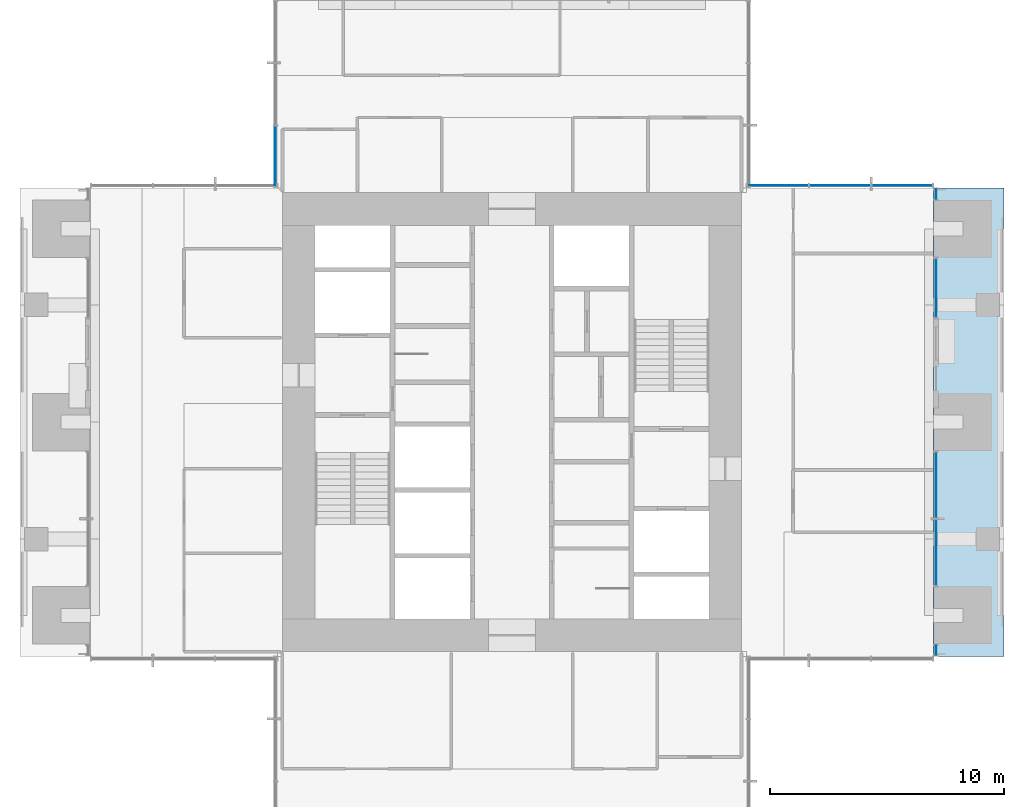
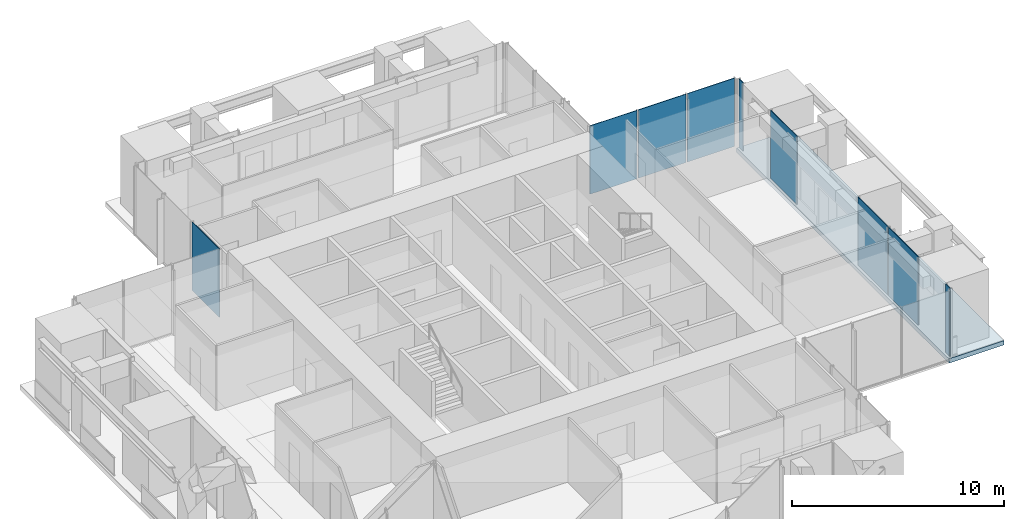
# One storey, part 10 of 17: 9 plates, 1 slab, 6 elements without a shape of their own.
"""IFC4 building model written with IfcOpenShell, lengths in metres."""

from ifc_helpers import new_model, si_unit, direction, frame, origin, origin_2d, place, context, subcontext, project, spatial, polyline, rectangle, outline, extrude, material, layer, layer_set, type_object, element, aggregate, save


model = new_model("IFC4")

# Units and contexts
model_context = context("Model", 3, precision=1e-05, world=origin(), true_north=direction((0.0, 1.0)))
body_context = subcontext(model_context, "Body", "Model", "MODEL_VIEW")
ifc_project = project(units=[si_unit("LENGTHUNIT", "METRE"), si_unit("AREAUNIT", "SQUARE_METRE"), si_unit("VOLUMEUNIT", "CUBIC_METRE"), si_unit("PLANEANGLEUNIT", "RADIAN"), si_unit("MASSUNIT", "GRAM", prefix="KILO")], contexts=[model_context])

# Site, building, storey
site_placement = place(None, origin())
site = spatial("IfcSite", under=ifc_project, at=site_placement, CompositionType="ELEMENT")
building_placement = place(site_placement, origin())
building = spatial("IfcBuilding", under=site, at=building_placement, Name="Svetlomir Tower", CompositionType="ELEMENT")
storey_placement = place(building_placement, frame((0.0, 0.0, 182.5)))
storey = spatial("IfcBuildingStorey", under=building, at=storey_placement, Name="L43", CompositionType="ELEMENT", Elevation=182.5)

# Curtain wall, plate
ifc_material_1 = material(Name="Bronze anodised aluminium curtain wall", Category="aluminium")
curtain_wall_type = type_object("IfcCurtainWallType", Name="CURTAIN WALL CW1 TOWER OFFICE", PredefinedType="NOTDEFINED", material=ifc_material_1)
curtain_wall_1_placement = place(storey_placement, origin())
curtain_wall_1 = element("IfcCurtainWall", 1, at=curtain_wall_1_placement, inside=storey, type_object=curtain_wall_type, Name="Curtain wall CW1 L43", PredefinedType="NOTDEFINED")
ifc_material_2 = material(Name="Tinted double glazed unit", Category="glass")
ifc_layer_1 = layer(ifc_material_2, 0.031982421875)
ifc_layer_set_1 = layer_set([ifc_layer_1], Name="Tinted double glazed unit")
plate_type = type_object("IfcPlateType", Name="CW1 GLAZED PANEL 32", PredefinedType="CURTAIN_PANEL", material=ifc_layer_set_1)
plate_1_placement = place(storey_placement, frame((39.10009765625, 11.262451171875, 0.06494140625), z_axis=(0.0, 0.0, 1.0), x_axis=(0.0, 1.0, 0.0)))
plate_1 = element("IfcPlate", 2, at=plate_1_placement, type_object=plate_type, Name="CW1 panel 1.1", PredefinedType="CURTAIN_PANEL", context=body_context, shape_type="SweptSolid", body=[
    extrude(rectangle(XDim=0.39501953125, YDim=0.031982421875, at=origin_2d()), origin(), (0.0, 0.0, 1.0), 3.93505859375),
])
aggregate(curtain_wall_1, [plate_1])

# Curtain wall, plates
curtain_wall_2_placement = place(storey_placement, origin())
curtain_wall_2 = element("IfcCurtainWall", 3, at=curtain_wall_2_placement, inside=storey, type_object=curtain_wall_type, Name="Curtain wall CW1 L43", PredefinedType="NOTDEFINED")
plate_2_placement = place(storey_placement, frame((39.10009765625, 15.441162109375, 0.06494140625), z_axis=(0.0, 0.0, 1.0), x_axis=(0.0, 1.0, 0.0)))
plate_2 = element("IfcPlate", 4, at=plate_2_placement, type_object=plate_type, Name="CW1 panel 1.1", PredefinedType="CURTAIN_PANEL", context=body_context, shape_type="SweptSolid", body=[
    extrude(rectangle(XDim=2.802490234375, YDim=0.031982421875, at=origin_2d()), origin(), (0.0, 0.0, 1.0), 3.93505859375),
])
plate_3_placement = place(storey_placement, frame((39.10009765625, 18.308837890625, 0.06494140625), z_axis=(0.0, 0.0, 1.0), x_axis=(0.0, 1.0, 0.0)))
plate_3 = element("IfcPlate", 5, at=plate_3_placement, type_object=plate_type, Name="CW1 panel 2.1", PredefinedType="CURTAIN_PANEL", context=body_context, shape_type="SweptSolid", body=[
    extrude(rectangle(XDim=2.802490234375, YDim=0.031982421875, at=origin_2d()), origin(), (0.0, 0.0, 1.0), 3.93505859375),
])
aggregate(curtain_wall_2, [plate_2, plate_3])

# Curtain wall, plate
curtain_wall_3_placement = place(storey_placement, origin())
curtain_wall_3 = element("IfcCurtainWall", 6, at=curtain_wall_3_placement, inside=storey, type_object=curtain_wall_type, Name="Curtain wall CW1 L43", PredefinedType="NOTDEFINED")
plate_4_placement = place(storey_placement, frame((39.10009765625, 26.71240234375, 0.06494140625), z_axis=(0.0, 0.0, 1.0), x_axis=(0.0, 1.0, 0.0)))
plate_4 = element("IfcPlate", 7, at=plate_4_placement, type_object=plate_type, Name="CW1 panel 1.1", PredefinedType="CURTAIN_PANEL", context=body_context, shape_type="SweptSolid", body=[
    extrude(rectangle(XDim=2.4951171875, YDim=0.031982421875, at=origin_2d()), origin(), (0.0, 0.0, 1.0), 3.93505859375),
])
aggregate(curtain_wall_3, [plate_4])

curtain_wall_4_placement = place(storey_placement, origin())
curtain_wall_4 = element("IfcCurtainWall", 8, at=curtain_wall_4_placement, inside=storey, type_object=curtain_wall_type, Name="Curtain wall CW1 L43", PredefinedType="NOTDEFINED")
plate_5_placement = place(storey_placement, frame((39.10009765625, 30.737548828125, 0.06494140625), z_axis=(0.0, 0.0, 1.0), x_axis=(0.0, 1.0, 0.0)))
plate_5 = element("IfcPlate", 9, at=plate_5_placement, type_object=plate_type, Name="CW1 panel 1.1", PredefinedType="CURTAIN_PANEL", context=body_context, shape_type="SweptSolid", body=[
    extrude(rectangle(XDim=0.39501953125, YDim=0.031982421875, at=origin_2d()), origin(), (0.0, 0.0, 1.0), 3.93505859375),
])
aggregate(curtain_wall_4, [plate_5])

# Curtain wall, plates
curtain_wall_5_placement = place(storey_placement, origin())
curtain_wall_5 = element("IfcCurtainWall", 10, at=curtain_wall_5_placement, inside=storey, type_object=curtain_wall_type, Name="Curtain wall CW1 L43", PredefinedType="NOTDEFINED")
plate_6_placement = place(storey_placement, frame((37.650390625, 31.10009765625, 0.06494140625), z_axis=(0.0, 0.0, 1.0), x_axis=(-1.0, 0.0, 0.0)))
plate_6 = element("IfcPlate", 11, at=plate_6_placement, type_object=plate_type, Name="CW1 panel 1.1", PredefinedType="CURTAIN_PANEL", context=body_context, shape_type="SweptSolid", body=[
    extrude(rectangle(XDim=2.569091796875, YDim=0.031982421875, at=origin_2d()), origin(), (0.0, 0.0, 1.0), 3.93505859375),
])
plate_7_placement = place(storey_placement, frame((35.0, 31.10009765625, 0.06494140625), z_axis=(0.0, 0.0, 1.0), x_axis=(-1.0, 0.0, 0.0)))
plate_7 = element("IfcPlate", 12, at=plate_7_placement, type_object=plate_type, Name="CW1 panel 2.1", PredefinedType="CURTAIN_PANEL", context=body_context, shape_type="SweptSolid", body=[
    extrude(rectangle(XDim=2.6015625, YDim=0.031982421875, at=origin_2d()), origin(), (0.0, 0.0, 1.0), 3.93505859375),
])
plate_8_placement = place(storey_placement, frame((32.349609375, 31.10009765625, 0.06494140625), z_axis=(0.0, 0.0, 1.0), x_axis=(-1.0, 0.0, 0.0)))
plate_8 = element("IfcPlate", 13, at=plate_8_placement, type_object=plate_type, Name="CW1 panel 3.1", PredefinedType="CURTAIN_PANEL", context=body_context, shape_type="SweptSolid", body=[
    extrude(rectangle(XDim=2.569091796875, YDim=0.031982421875, at=origin_2d()), origin(), (0.0, 0.0, 1.0), 3.93505859375),
])
aggregate(curtain_wall_5, [plate_6, plate_7, plate_8])

# Curtain wall, plate
curtain_wall_6_placement = place(storey_placement, origin())
curtain_wall_6 = element("IfcCurtainWall", 14, at=curtain_wall_6_placement, inside=storey, type_object=curtain_wall_type, Name="Curtain wall CW1 L43", PredefinedType="NOTDEFINED")
plate_9_placement = place(storey_placement, frame((10.89990234375, 32.349609375, 0.06494140625), z_axis=(0.0, 0.0, 1.0), x_axis=(0.0, -1.0, 0.0)))
plate_9 = element("IfcPlate", 15, at=plate_9_placement, type_object=plate_type, Name="CW1 panel 3.1", PredefinedType="CURTAIN_PANEL", context=body_context, shape_type="SweptSolid", body=[
    extrude(rectangle(XDim=2.569091796875, YDim=0.031982421875, at=origin_2d()), origin(), (0.0, 0.0, 1.0), 3.93505859375),
])
aggregate(curtain_wall_6, [plate_9])

# Slab
ifc_material_3 = material(Name="Concrete C60/75", Category="concrete")
ifc_layer_2 = layer(ifc_material_3, 0.25)
ifc_layer_set_2 = layer_set([ifc_layer_2], Name="Concrete C60/75")
slab_type = type_object("IfcSlabType", Name="PLANTED LOGGIA SLAB 250", PredefinedType="FLOOR", material=ifc_layer_set_2)
slab_placement = place(storey_placement, frame((0.0, 0.0, -0.25)))
element("IfcSlab", 16, at=slab_placement, inside=storey, type_object=slab_type, Name="L43 E planted loggia", PredefinedType="FLOOR", context=body_context, shape_type="SweptSolid", body=[
    extrude(outline(polyline([(39.0, 11.0), (42.0, 11.0), (42.0, 31.0), (39.0, 31.0), (39.0, 11.0)])), origin(), (0.0, 0.0, 1.0), 0.25),
])

save(model, "model.ifc")
